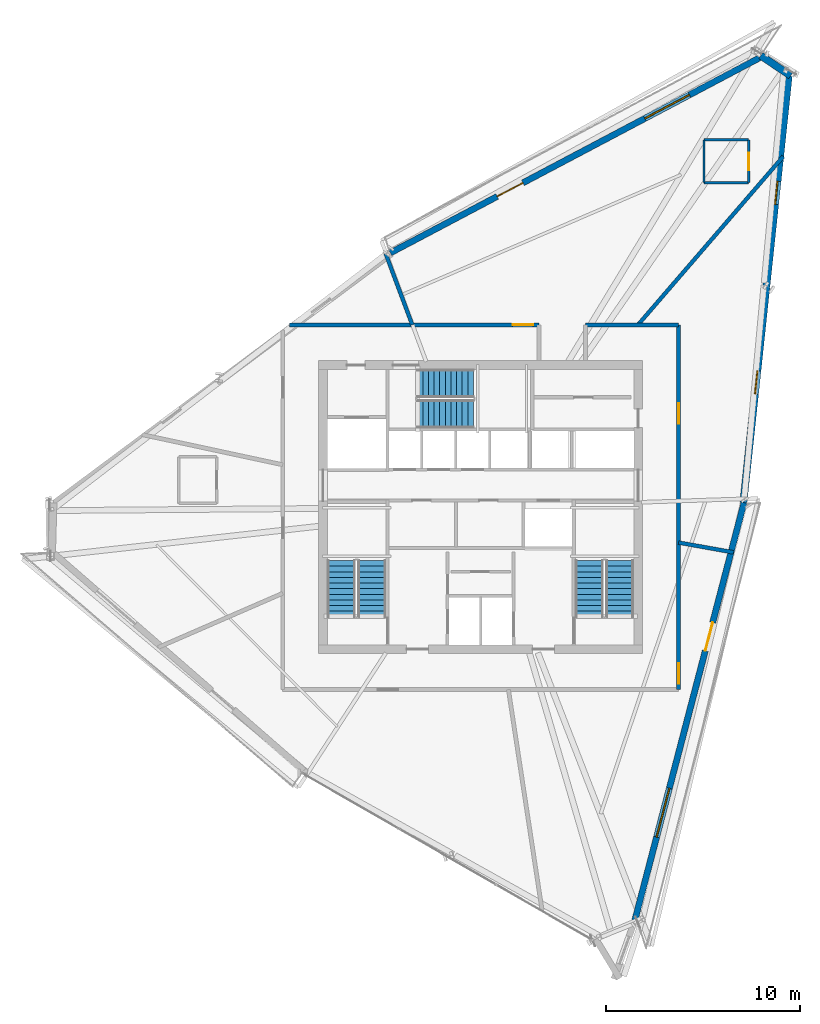
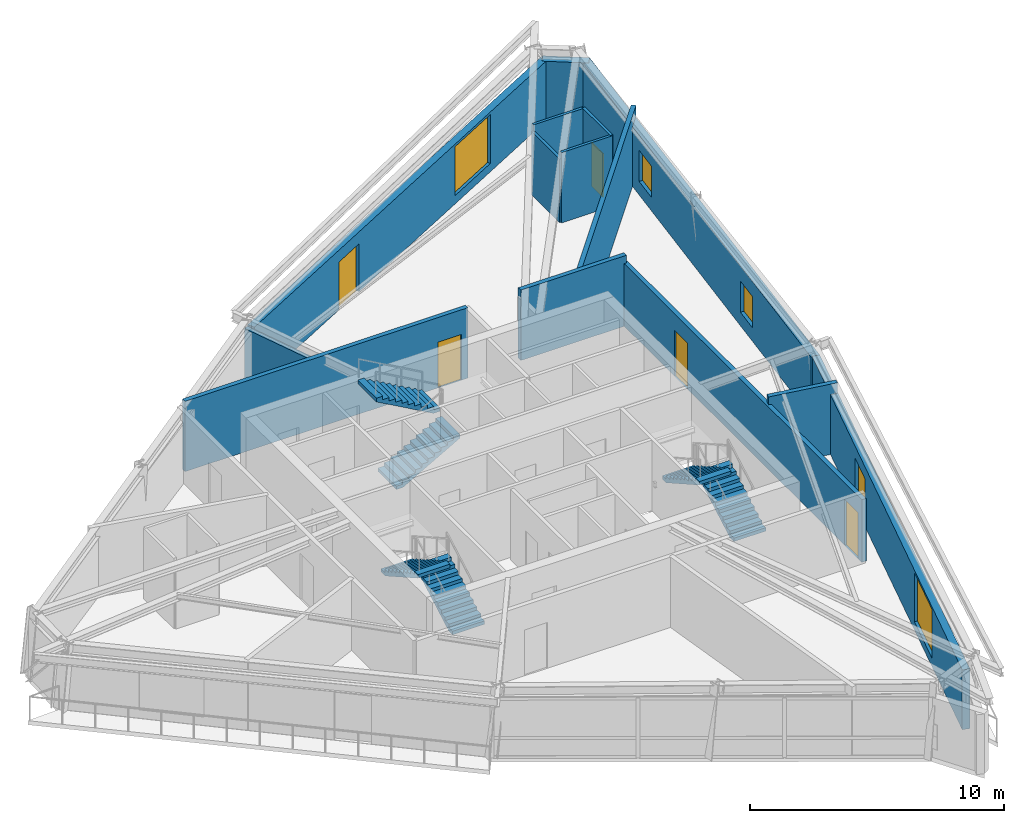
# One storey, part 10 of 13: 14 walls, 6 doors, 6 stair flights, 4 windows, 10 openings, 3 elements without a shape of their own.
"""IFC4 building model written with IfcOpenShell, lengths in metres."""

import ifcopenshell
import ifcopenshell.guid

model = None  # the IFC model being written
_history = None  # IfcOwnerHistory: only IFC2X3 demands one
_inside = {}  # id of a spatial element -> (the spatial element, [elements in it])
_under = {}  # id of a project, library or spatial element -> (it, [spatial elements below it])
_declared = {}  # id of a project -> (the project, [libraries it declares])
_typed = {}  # id of a type object -> (the type object, [elements of that type])
_made_of = {}  # id of a material, layer set ... -> (it, [elements and type objects made of it])


def new_model(schema):
    """Start an empty IFC model of exactly this schema.

    Asked for "IFC4X3", IfcOpenShell would pick the latest addendum, in which some entities
    have other attributes; the version numbers below select the first issue.
    IFC2X3 requires an IfcOwnerHistory on every rooted entity: one is made here for all.
    """
    global model, _history
    if schema == "IFC4X3":
        model = ifcopenshell.file(schema_version=(4, 3, 0, 0))
    else:
        model = ifcopenshell.file(schema=schema)
    _inside.clear()
    _under.clear()
    _declared.clear()
    _typed.clear()
    _made_of.clear()
    _history = None
    if model.schema == "IFC2X3":
        org = make("IfcOrganization", Name="unknown")
        user = make(
            "IfcPersonAndOrganization",
            ThePerson=make("IfcPerson", FamilyName="unknown"),
            TheOrganization=org,
        )
        app = make(
            "IfcApplication",
            ApplicationDeveloper=org,
            Version="unknown",
            ApplicationFullName="unknown",
            ApplicationIdentifier="unknown",
        )
        _history = make(
            "IfcOwnerHistory",
            OwningUser=user,
            OwningApplication=app,
            ChangeAction="ADDED",
            CreationDate=0,
        )
    return model


def make(cls, **values):
    """One entity of the class cls with the attributes given. An attribute that is None is left unset."""
    return model.create_entity(
        cls, **{name: value for name, value in values.items() if value is not None}
    )


def rooted(cls, **values):
    """An entity with a GlobalId (a new one), such as an element, a storey or a relation."""
    return make(cls, GlobalId=ifcopenshell.guid.new(), OwnerHistory=_history, **values)


def si_unit(unit_type, name, prefix=None):
    """IfcSIUnit, for example si_unit("LENGTHUNIT", "METRE", prefix="MILLI")."""
    return make("IfcSIUnit", UnitType=unit_type, Prefix=prefix, Name=name)


def assignment(units):
    """IfcUnitAssignment: the units of a project."""
    return None if units is None else make("IfcUnitAssignment", Units=units)


def point(xyz):
    """IfcCartesianPoint."""
    return None if xyz is None else make("IfcCartesianPoint", Coordinates=xyz)


def direction(xyz):
    """IfcDirection."""
    return None if xyz is None else make("IfcDirection", DirectionRatios=xyz)


def frame(location, z_axis=None, x_axis=None):
    """IfcAxis2Placement3D, a coordinate frame: its origin and axes. An axis left out is left unset."""
    return make(
        "IfcAxis2Placement3D",
        Location=point(location),
        Axis=direction(z_axis),
        RefDirection=direction(x_axis),
    )


def frame_2d(location, x_axis=None):
    """IfcAxis2Placement2D, a coordinate frame in the plane: its origin and x axis."""
    return make(
        "IfcAxis2Placement2D", Location=point(location), RefDirection=direction(x_axis)
    )


def origin():
    """The frame at (0, 0, 0) with its axes left unset."""
    return frame((0.0, 0.0, 0.0))


def place(relative_to, where):
    """IfcLocalPlacement: puts the frame where relative to a parent placement (None: the world)."""
    return make(
        "IfcLocalPlacement", PlacementRelTo=relative_to, RelativePlacement=where
    )


def context(
    kind, dimensions, precision=None, world=None, true_north=None, identifier=None
):
    """IfcGeometricRepresentationContext, for example the 3D "Model" context."""
    return make(
        "IfcGeometricRepresentationContext",
        ContextIdentifier=identifier,
        ContextType=kind,
        CoordinateSpaceDimension=dimensions,
        Precision=precision,
        WorldCoordinateSystem=world,
        TrueNorth=true_north,
    )


def subcontext(parent, identifier, kind, view, scale=None):
    """IfcGeometricRepresentationSubContext, for example "Body" below "Model"."""
    return make(
        "IfcGeometricRepresentationSubContext",
        ContextIdentifier=identifier,
        ContextType=kind,
        ParentContext=parent,
        TargetScale=scale,
        TargetView=view,
    )


def project(units=None, contexts=None):
    """IfcProject with its units and contexts."""
    return rooted(
        "IfcProject",
        Name="project",
        RepresentationContexts=contexts,
        UnitsInContext=assignment(units),
    )


def spatial(cls, under=None, at=None, **own):
    """A site, building, storey or space (cls), placed at a placement, below another one or the project."""
    s = rooted(cls, ObjectPlacement=at, **own)
    if under is not None:
        _under.setdefault(under.id(), (under, []))[1].append(s)
    return s


def polyline(points):
    """IfcPolyline through the points."""
    return make("IfcPolyline", Points=[point(p) for p in points])


def profile(cls, at=None, kind="AREA", **sizes):
    """A parametric profile (cls). Its sizes go by their IFC names, for example OverallWidth=200.0."""
    return make(cls, ProfileType=kind, Position=at, **sizes)


def rectangle(**sizes):
    """IfcRectangleProfileDef."""
    return profile("IfcRectangleProfileDef", **sizes)


def outline(outer, holes=None, kind="AREA"):
    """IfcArbitraryClosedProfileDef: a profile drawn as a closed curve; with holes, ...WithVoids."""
    if holes is None:
        return make("IfcArbitraryClosedProfileDef", ProfileType=kind, OuterCurve=outer)
    return make(
        "IfcArbitraryProfileDefWithVoids",
        ProfileType=kind,
        OuterCurve=outer,
        InnerCurves=holes,
    )


def extrude(swept, where, along, depth):
    """IfcExtrudedAreaSolid: the profile swept, set in the frame where, extruded along a direction by depth."""
    return make(
        "IfcExtrudedAreaSolid",
        SweptArea=swept,
        Position=where,
        ExtrudedDirection=direction(along),
        Depth=depth,
    )


def shape(context_of_items, identifier, shape_type, items):
    """IfcShapeRepresentation: the items that make up one representation, for example the "Body"."""
    return make(
        "IfcShapeRepresentation",
        ContextOfItems=context_of_items,
        RepresentationIdentifier=identifier,
        RepresentationType=shape_type,
        Items=items,
    )


def source(mapping_origin, context_of_items, identifier, shape_type, items):
    """IfcRepresentationMap: a shape defined once, which mapped items show again and again."""
    return make(
        "IfcRepresentationMap",
        MappingOrigin=mapping_origin,
        MappedRepresentation=shape(context_of_items, identifier, shape_type, items),
    )


def transform(
    local_origin,
    x_axis=None,
    y_axis=None,
    z_axis=None,
    scale=None,
    scale2=None,
    scale3=None,
    uniform=True,
):
    """IfcCartesianTransformationOperator3D, or its non-uniform kind. x_axis, y_axis, z_axis: its Axis1, 2, 3."""
    if uniform:
        return make(
            "IfcCartesianTransformationOperator3D",
            Axis1=direction(x_axis),
            Axis2=direction(y_axis),
            LocalOrigin=point(local_origin),
            Scale=scale,
            Axis3=direction(z_axis),
        )
    return make(
        "IfcCartesianTransformationOperator3DnonUniform",
        Axis1=direction(x_axis),
        Axis2=direction(y_axis),
        LocalOrigin=point(local_origin),
        Scale=scale,
        Axis3=direction(z_axis),
        Scale2=scale2,
        Scale3=scale3,
    )


def mapped(mapping_source, mapping_target):
    """IfcMappedItem: shows the shape of a source again, moved by a transform."""
    return make(
        "IfcMappedItem", MappingSource=mapping_source, MappingTarget=mapping_target
    )


def material(Name=None, Category=None):
    """IfcMaterial."""
    return make("IfcMaterial", Name=Name, Category=Category)


def layer(
    of_material, thickness, ventilated=None, Name=None, Category=None, Priority=None
):
    """IfcMaterialLayer: one layer of a wall or slab, of a material (None: an air gap)."""
    return make(
        "IfcMaterialLayer",
        Material=of_material,
        LayerThickness=thickness,
        IsVentilated=ventilated,
        Name=Name,
        Category=Category,
        Priority=Priority,
    )


def layer_set(layers, Name=None):
    """IfcMaterialLayerSet."""
    return make("IfcMaterialLayerSet", MaterialLayers=layers, LayerSetName=Name)


def made_of(thing, what):
    """Note that an element or type object is made of a material, layer set ...; save() writes the relation."""
    if what is not None:
        _made_of.setdefault(what.id(), (what, []))[1].append(thing)
    return thing


def type_object(cls, material=None, **own):
    """A type object (cls), such as IfcWallType, which elements share."""
    return made_of(rooted(cls, **own), material)


def type_shapes(of_type, sources):
    """Give a type object the sources (RepresentationMaps) that its elements show as mapped items."""
    of_type.RepresentationMaps = sources


def element(
    cls,
    number,
    at=None,
    inside=None,
    cuts=None,
    type_object=None,
    material=None,
    context=None,
    identifier="Body",
    shape_type=None,
    held_by="IfcProductDefinitionShape",
    body=None,
    shapes=None,
    **own,
):
    """One element of the class cls, such as IfcWall. Its Tag is "e" and its number.

    at: its placement. inside: the storey or other place that contains it. cuts: it is an
    opening in that element (IfcRelVoidsElement). A single representation is given by context,
    identifier, shape_type and body (its items); several are given by shapes. held_by: the class
    of the entity that holds the representations. save() writes the other relations.
    """
    e = rooted(cls, Tag="e%d" % number, ObjectPlacement=at, **own)
    if body is not None:
        shapes = [shape(context, identifier, shape_type, body)]
    if shapes is not None:
        e.Representation = make(held_by, Representations=shapes)
    if inside is not None:
        _inside.setdefault(inside.id(), (inside, []))[1].append(e)
    if cuts is not None:
        rooted(
            "IfcRelVoidsElement", RelatingBuildingElement=cuts, RelatedOpeningElement=e
        )
    if type_object is not None:
        _typed.setdefault(type_object.id(), (type_object, []))[1].append(e)
    return made_of(e, material)


def fill(opening, filler):
    """IfcRelFillsElement: the door or window that sits in an opening."""
    return rooted(
        "IfcRelFillsElement",
        RelatingOpeningElement=opening,
        RelatedBuildingElement=filler,
    )


def aggregate(whole, parts):
    """IfcRelAggregates: a whole, such as a stair, and the parts it consists of."""
    return rooted("IfcRelAggregates", RelatingObject=whole, RelatedObjects=parts)


def save(model, path):
    """Write the relations noted so far, then the file.

    IfcRelAggregates (storeys below a building ...), IfcRelContainedInSpatialStructure (elements
    in a storey), IfcRelDefinesByType, IfcRelAssociatesMaterial and IfcRelDeclares: one each for
    every whole, place, type object, material and project.
    """
    for whole, parts in _under.values():
        aggregate(whole, parts)
    for where, things in _inside.values():
        rooted(
            "IfcRelContainedInSpatialStructure",
            RelatedElements=things,
            RelatingStructure=where,
        )
    for kind, things in _typed.values():
        rooted("IfcRelDefinesByType", RelatedObjects=things, RelatingType=kind)
    for what, things in _made_of.values():
        rooted("IfcRelAssociatesMaterial", RelatedObjects=things, RelatingMaterial=what)
    for by, libraries in _declared.values():
        rooted("IfcRelDeclares", RelatingContext=by, RelatedDefinitions=libraries)
    model.write(path)


model = new_model("IFC4")

# Units and contexts
model_context = context("Model", 3, precision=1e-05, world=origin(), true_north=direction((0.0, 1.0)))
body_context = subcontext(model_context, "Body", "Model", "MODEL_VIEW")
ifc_project = project(units=[si_unit("LENGTHUNIT", "METRE"), si_unit("AREAUNIT", "SQUARE_METRE"), si_unit("VOLUMEUNIT", "CUBIC_METRE"), si_unit("PLANEANGLEUNIT", "RADIAN"), si_unit("MASSUNIT", "GRAM", prefix="KILO")], contexts=[model_context])

# Site, building, storey
site_placement = place(None, origin())
site = spatial("IfcSite", under=ifc_project, at=site_placement, CompositionType="ELEMENT")
building_placement = place(site_placement, origin())
building = spatial("IfcBuilding", under=site, at=building_placement, Name="Olszyna Solenne Hotel", CompositionType="ELEMENT")
storey_placement = place(building_placement, frame((0.0, 0.0, 263.300048828125)))
storey = spatial("IfcBuildingStorey", under=building, at=storey_placement, Name="L70", CompositionType="ELEMENT", Elevation=263.300048828125)

# Wall, openings, door, window
ifc_material_1 = material(Name="Precast concrete C45/55", Category="concrete")
ifc_layer_1 = layer(ifc_material_1, 0.320068359375, Name="Precast concrete C45/55")
ifc_layer_set_1 = layer_set([ifc_layer_1], Name="Precast concrete C45/55")
wall_type_1 = type_object("IfcWallType", Name="WL-EX320", PredefinedType="SOLIDWALL", material=ifc_layer_set_1)
wall_1_placement = place(storey_placement, frame((51.576904296875, 26.8388671875, 0.0), z_axis=(0.0, 0.0, 1.0), x_axis=(-0.252928525252, -0.967484966867, 0.0)))
wall_1 = element("IfcWall", 1, at=wall_1_placement, inside=storey, type_object=wall_type_1, Name="Exterior terracotta-precast frame wall WL-EX320 EW-L70-01", PredefinedType="SOLIDWALL", context=body_context, shape_type="SweptSolid", body=[
    extrude(rectangle(XDim=22.322509765625, YDim=0.320068359375, at=frame_2d((11.1611328125, 0.0))), origin(), (0.0, 0.0, 1.0), 2.8720703125),
])
opening_1_placement = place(wall_1_placement, frame((6.39306640625, 0.0, 0.0)))
opening_1 = element("IfcOpeningElement", 2, at=opening_1_placement, cuts=wall_1, Name="Opening LDG-L70-3", PredefinedType="OPENING", context=body_context, shape_type="SweptSolid", body=[
    extrude(rectangle(XDim=1.5, YDim=2.300048828125, at=frame_2d((0.75, 1.14990234375))), frame((0.0, 0.169921875, 0.0), z_axis=(0.0, -1.0, 0.0), x_axis=(1.0, 0.0, 0.0)), (0.0, 0.0, 1.0), 0.340087890625),
])
opening_2_placement = place(wall_1_placement, frame((15.218994140625, 0.0, 0.402099609375)))
opening_2 = element("IfcOpeningElement", 3, at=opening_2_placement, cuts=wall_1, Name="Opening WN-L70-464", PredefinedType="OPENING", context=body_context, shape_type="SweptSolid", body=[
    extrude(rectangle(XDim=2.60009765625, YDim=2.35009765625, at=frame_2d((1.300048828125, 1.175048828125))), frame((0.0, 0.169921875, 0.0), z_axis=(0.0, -1.0, 0.0), x_axis=(1.0, 0.0, 0.0)), (0.0, 0.0, 1.0), 0.340087890625),
])
ifc_material_2 = material(Name="Anodised bronze aluminium", Category="aluminium")
door_type_1 = type_object("IfcDoorType", Name="DR-LG2", OperationType="DOUBLE_DOOR_SINGLE_SWING", PredefinedType="DOOR", material=ifc_material_2)
shared_shape_1 = source(origin(), body_context, "Body", "SweptSolid", [
    extrude(rectangle(XDim=1.5, YDim=2.300048828125, at=frame_2d((0.75, 1.14990234375))), frame((0.0, 0.02490234375, 0.0), z_axis=(0.0, -1.0, 0.0), x_axis=(1.0, 0.0, 0.0)), (0.0, 0.0, 1.0), 0.050048828125),
])
type_shapes(door_type_1, [shared_shape_1])
door_1_placement = place(opening_1_placement, origin())
door_1 = element("IfcDoor", 4, at=door_1_placement, inside=storey, type_object=door_type_1, Name="Exterior loggia balcony door DR-LG2 LDG-L70-3", OperationType="DOUBLE_DOOR_SINGLE_SWING", OverallHeight=2.300048828125, OverallWidth=1.5, PredefinedType="DOOR", context=body_context, shape_type="MappedRepresentation", body=[
    mapped(shared_shape_1, transform((0.0, 0.0, 0.0), x_axis=(1.0, 0.0, 0.0), y_axis=(0.0, 1.0, 0.0), z_axis=(0.0, 0.0, 1.0), scale=1.0)),
])
fill(opening_1, door_1)
ifc_material_3 = material(Name="Low-E triple glazing", Category="glass")
window_type_1 = type_object("IfcWindowType", Name="WN-ST1", PartitioningType="SINGLE_PANEL", PredefinedType="WINDOW", material=ifc_material_3)
shared_shape_2 = source(origin(), body_context, "Body", "SweptSolid", [
    extrude(rectangle(XDim=2.60009765625, YDim=2.35009765625, at=frame_2d((1.300048828125, 1.175048828125))), frame((0.0, 0.030029296875, 0.0), z_axis=(0.0, -1.0, 0.0), x_axis=(1.0, 0.0, 0.0)), (0.0, 0.0, 1.0), 0.06005859375),
])
type_shapes(window_type_1, [shared_shape_2])
window_1_placement = place(opening_2_placement, origin())
window_1 = element("IfcWindow", 5, at=window_1_placement, inside=storey, type_object=window_type_1, Name="Loggia room window WN-ST1 WN-L70-464", OverallHeight=2.35009765625, OverallWidth=2.60009765625, PartitioningType="SINGLE_PANEL", PredefinedType="WINDOW", context=body_context, shape_type="MappedRepresentation", body=[
    mapped(shared_shape_2, transform((0.0, 0.0, 0.0), x_axis=(1.0, 0.0, 0.0), y_axis=(0.0, 1.0, 0.0), z_axis=(0.0, 0.0, 1.0), scale=1.0)),
])
fill(opening_2, window_1)

wall_2_placement = place(storey_placement, frame((33.345703125, 39.707763671875, 0.0), z_axis=(0.0, 0.0, 1.0), x_axis=(0.884171130731, 0.467163153066, 0.0)))
wall_2 = element("IfcWall", 6, at=wall_2_placement, inside=storey, type_object=wall_type_1, Name="Exterior terracotta-precast frame wall WL-EX320 EW-L70-08", PredefinedType="SOLIDWALL", context=body_context, shape_type="SweptSolid", body=[
    extrude(rectangle(XDim=21.802490234375, YDim=0.320068359375, at=frame_2d((10.9013671875, 0.0))), origin(), (0.0, 0.0, 1.0), 2.8720703125),
])
opening_3_placement = place(wall_2_placement, frame((6.22705078125, 0.0, 0.0)))
opening_3 = element("IfcOpeningElement", 7, at=opening_3_placement, cuts=wall_2, Name="Opening LDG-L70-1", PredefinedType="OPENING", context=body_context, shape_type="SweptSolid", body=[
    extrude(rectangle(XDim=1.5, YDim=2.300048828125, at=frame_2d((0.75, 1.14990234375))), frame((0.0, 0.169921875, 0.0), z_axis=(0.0, -1.0, 0.0), x_axis=(1.0, 0.0, 0.0)), (0.0, 0.0, 1.0), 0.340087890625),
])
opening_4_placement = place(wall_2_placement, frame((14.833984375, 0.0, 0.402099609375)))
opening_4 = element("IfcOpeningElement", 8, at=opening_4_placement, cuts=wall_2, Name="Opening WN-L70-469", PredefinedType="OPENING", context=body_context, shape_type="SweptSolid", body=[
    extrude(rectangle(XDim=2.60009765625, YDim=2.35009765625, at=frame_2d((1.300048828125, 1.175048828125))), frame((0.0, 0.169921875, 0.0), z_axis=(0.0, -1.0, 0.0), x_axis=(1.0, 0.0, 0.0)), (0.0, 0.0, 1.0), 0.340087890625),
])
door_2_placement = place(opening_3_placement, origin())
door_2 = element("IfcDoor", 9, at=door_2_placement, inside=storey, type_object=door_type_1, Name="Exterior loggia balcony door DR-LG2 LDG-L70-1", OperationType="DOUBLE_DOOR_SINGLE_SWING", OverallHeight=2.300048828125, OverallWidth=1.5, PredefinedType="DOOR", context=body_context, shape_type="MappedRepresentation", body=[
    mapped(shared_shape_1, transform((0.0, 0.0, 0.0), x_axis=(1.0, 0.0, 0.0), y_axis=(0.0, 1.0, 0.0), z_axis=(0.0, 0.0, 1.0), scale=1.0)),
])
fill(opening_3, door_2)
window_2_placement = place(opening_4_placement, origin())
window_2 = element("IfcWindow", 10, at=window_2_placement, inside=storey, type_object=window_type_1, Name="Loggia room window WN-ST1 WN-L70-469", OverallHeight=2.35009765625, OverallWidth=2.60009765625, PartitioningType="SINGLE_PANEL", PredefinedType="WINDOW", context=body_context, shape_type="MappedRepresentation", body=[
    mapped(shared_shape_2, transform((0.0, 0.0, 0.0), x_axis=(1.0, 0.0, 0.0), y_axis=(0.0, 1.0, 0.0), z_axis=(0.0, 0.0, 1.0), scale=1.0)),
])
fill(opening_4, window_2)

# Wall
ifc_material_4 = material(Name="Terracotta cladding on precast concrete C45/55", Category="masonry")
ifc_layer_2 = layer(ifc_material_4, 0.3798828125, Name="Terracotta cladding on precast concrete C45/55")
ifc_layer_set_2 = layer_set([ifc_layer_2], Name="Terracotta cladding on precast concrete C45/55")
wall_type_2 = type_object("IfcWallType", Name="WL-EX380", PredefinedType="SOLIDWALL", material=ifc_layer_set_2)
wall_3_placement = place(storey_placement, frame((52.44189453125, 49.877197265625, 0.0), z_axis=(0.0, 0.0, 1.0), x_axis=(0.828508052688, -0.559977148312, 0.0)))
element("IfcWall", 11, at=wall_3_placement, inside=storey, type_object=wall_type_2, Name="Exterior terracotta-precast frame wall WL-EX380 EW-L70-09", PredefinedType="SOLIDWALL", context=body_context, shape_type="SweptSolid", body=[
    extrude(rectangle(XDim=1.853759765625, YDim=0.3798828125, at=frame_2d((0.9267578125, 0.0))), origin(), (0.0, 0.0, 1.0), 2.8720703125),
])

# Wall, openings, windows
wall_4_placement = place(storey_placement, frame((53.8955078125, 49.0166015625, 0.0), z_axis=(0.0, 0.0, 1.0), x_axis=(-0.105399254058, -0.994429986095, 0.0)))
wall_4 = element("IfcWall", 12, at=wall_4_placement, inside=storey, type_object=wall_type_2, Name="Exterior terracotta-precast frame wall WL-EX380 EW-L70-10", PredefinedType="SOLIDWALL", context=body_context, shape_type="SweptSolid", body=[
    extrude(rectangle(XDim=22.322509765625, YDim=0.3798828125, at=frame_2d((11.1611328125, 0.0))), origin(), (0.0, 0.0, 1.0), 2.8720703125),
])
opening_5_placement = place(wall_4_placement, frame((5.64990234375, 0.0, 0.64990234375)))
opening_5 = element("IfcOpeningElement", 13, at=opening_5_placement, cuts=wall_4, Name="Opening WN-L70-470", PredefinedType="OPENING", context=body_context, shape_type="SweptSolid", body=[
    extrude(rectangle(XDim=1.199951171875, YDim=1.5, at=frame_2d((0.60009765625, 0.75))), frame((0.0, 0.199951171875, 0.0), z_axis=(0.0, -1.0, 0.0), x_axis=(1.0, 0.0, 0.0)), (0.0, 0.0, 1.0), 0.39990234375),
])
opening_6_placement = place(wall_4_placement, frame((15.471923828125, 0.0, 0.64990234375)))
opening_6 = element("IfcOpeningElement", 14, at=opening_6_placement, cuts=wall_4, Name="Opening WN-L70-471", PredefinedType="OPENING", context=body_context, shape_type="SweptSolid", body=[
    extrude(rectangle(XDim=1.199951171875, YDim=1.5, at=frame_2d((0.60009765625, 0.75))), frame((0.0, 0.199951171875, 0.0), z_axis=(0.0, -1.0, 0.0), x_axis=(1.0, 0.0, 0.0)), (0.0, 0.0, 1.0), 0.39990234375),
])
window_type_2 = type_object("IfcWindowType", Name="WN-B1", PartitioningType="SINGLE_PANEL", PredefinedType="WINDOW", material=ifc_material_3)
shared_shape_3 = source(origin(), body_context, "Body", "SweptSolid", [
    extrude(rectangle(XDim=1.199951171875, YDim=1.5, at=frame_2d((0.60009765625, 0.75))), frame((0.0, 0.030029296875, 0.0), z_axis=(0.0, -1.0, 0.0), x_axis=(1.0, 0.0, 0.0)), (0.0, 0.0, 1.0), 0.06005859375),
])
type_shapes(window_type_2, [shared_shape_3])
window_3_placement = place(opening_5_placement, origin())
window_3 = element("IfcWindow", 15, at=window_3_placement, inside=storey, type_object=window_type_2, Name="Exterior facade window WN-B1 WN-L70-470", OverallHeight=1.5, OverallWidth=1.199951171875, PartitioningType="SINGLE_PANEL", PredefinedType="WINDOW", context=body_context, shape_type="MappedRepresentation", body=[
    mapped(shared_shape_3, transform((0.0, 0.0, 0.0), x_axis=(1.0, 0.0, 0.0), y_axis=(0.0, 1.0, 0.0), z_axis=(0.0, 0.0, 1.0), scale=1.0)),
])
fill(opening_5, window_3)
window_4_placement = place(opening_6_placement, origin())
window_4 = element("IfcWindow", 16, at=window_4_placement, inside=storey, type_object=window_type_2, Name="Exterior facade window WN-B1 WN-L70-471", OverallHeight=1.5, OverallWidth=1.199951171875, PartitioningType="SINGLE_PANEL", PredefinedType="WINDOW", context=body_context, shape_type="MappedRepresentation", body=[
    mapped(shared_shape_3, transform((0.0, 0.0, 0.0), x_axis=(1.0, 0.0, 0.0), y_axis=(0.0, 1.0, 0.0), z_axis=(0.0, 0.0, 1.0), scale=1.0)),
])
fill(opening_6, window_4)

# Wall, opening, door
ifc_material_5 = material(Name="Acoustic gypsum partition", Category="gypsum")
ifc_layer_3 = layer(ifc_material_5, 0.125, Name="Acoustic gypsum partition")
ifc_layer_set_3 = layer_set([ifc_layer_3], Name="Acoustic gypsum partition")
wall_type_3 = type_object("IfcWallType", Name="WL-PT125", PredefinedType="PARTITIONING", material=ifc_layer_set_3)
wall_5_placement = place(storey_placement, frame((51.81201171875, 43.3291015625, 0.0), z_axis=(0.0, 0.0, 1.0), x_axis=(0.0, 1.0, 0.0)))
wall_5 = element("IfcWall", 17, at=wall_5_placement, inside=storey, type_object=wall_type_3, Name="Interior acoustic partition WL-PT125 PW-L70-3877", PredefinedType="PARTITIONING", context=body_context, shape_type="SweptSolid", body=[
    extrude(rectangle(XDim=2.199951171875, YDim=0.125, at=frame_2d((1.10009765625, 0.0))), origin(), (0.0, 0.0, 1.0), 3.3798828125),
])
opening_7_placement = place(wall_5_placement, frame((0.64990234375, 0.0, 0.0)))
opening_7 = element("IfcOpeningElement", 18, at=opening_7_placement, cuts=wall_5, Name="Opening DR-L70-0940", PredefinedType="OPENING", context=body_context, shape_type="SweptSolid", body=[
    extrude(rectangle(XDim=0.89990234375, YDim=2.10009765625, at=frame_2d((0.449951171875, 1.050048828125))), frame((0.0, 0.072509765625, 0.0), z_axis=(0.0, -1.0, 0.0), x_axis=(1.0, 0.0, 0.0)), (0.0, 0.0, 1.0), 0.14501953125),
])
ifc_material_6 = material(Name="Timber hardwood", Category="wood")
door_type_2 = type_object("IfcDoorType", Name="DR-WC1", OperationType="NOTDEFINED", PredefinedType="DOOR", material=ifc_material_6)
shared_shape_4 = source(origin(), body_context, "Body", "SweptSolid", [
    extrude(rectangle(XDim=0.89990234375, YDim=2.10009765625, at=frame_2d((0.449951171875, 1.050048828125))), frame((0.0, 0.02490234375, 0.0), z_axis=(0.0, -1.0, 0.0), x_axis=(1.0, 0.0, 0.0)), (0.0, 0.0, 1.0), 0.050048828125),
])
type_shapes(door_type_2, [shared_shape_4])
door_3_placement = place(opening_7_placement, origin())
door_3 = element("IfcDoor", 19, at=door_3_placement, inside=storey, type_object=door_type_2, Name="En-Suite Bathroom Door DR-L70-0940", OperationType="SINGLE_SWING_LEFT", OverallHeight=2.10009765625, OverallWidth=0.89990234375, PredefinedType="DOOR", context=body_context, shape_type="MappedRepresentation", body=[
    mapped(shared_shape_4, transform((0.0, 0.0, 0.0), x_axis=(1.0, 0.0, 0.0), y_axis=(0.0, 1.0, 0.0), z_axis=(0.0, 0.0, 1.0), scale=1.0)),
])
fill(opening_7, door_3)

# Walls
wall_6_placement = place(storey_placement, frame((51.81201171875, 45.529052734375, 0.0), z_axis=(0.0, 0.0, 1.0), x_axis=(-1.0, 0.0, 0.0)))
element("IfcWall", 20, at=wall_6_placement, inside=storey, type_object=wall_type_3, Name="Interior acoustic partition WL-PT125 PW-L70-3878", PredefinedType="PARTITIONING", context=body_context, shape_type="SweptSolid", body=[
    extrude(rectangle(XDim=2.300048828125, YDim=0.125, at=frame_2d((1.14990234375, 0.0))), origin(), (0.0, 0.0, 1.0), 3.3798828125),
])
wall_7_placement = place(storey_placement, frame((49.511962890625, 45.529052734375, 0.0), z_axis=(0.0, 0.0, 1.0), x_axis=(0.0, -1.0, 0.0)))
element("IfcWall", 21, at=wall_7_placement, inside=storey, type_object=wall_type_3, Name="Interior acoustic partition WL-PT125 PW-L70-3879", PredefinedType="PARTITIONING", context=body_context, shape_type="SweptSolid", body=[
    extrude(rectangle(XDim=2.199951171875, YDim=0.125, at=frame_2d((1.10009765625, 0.0))), origin(), (0.0, 0.0, 1.0), 3.054931640625),
])
wall_8_placement = place(storey_placement, frame((49.511962890625, 43.3291015625, 0.0), z_axis=(0.0, 0.0, 1.0), x_axis=(1.0, 0.0, 0.0)))
element("IfcWall", 22, at=wall_8_placement, inside=storey, type_object=wall_type_3, Name="Interior acoustic partition WL-PT125 PW-L70-3880", PredefinedType="PARTITIONING", context=body_context, shape_type="SweptSolid", body=[
    extrude(rectangle(XDim=2.300048828125, YDim=0.125, at=frame_2d((1.14990234375, 0.0))), origin(), (0.0, 0.0, 1.0), 3.3798828125),
])
ifc_layer_4 = layer(ifc_material_5, 0.199951171875, Name="Acoustic gypsum partition")
ifc_layer_set_4 = layer_set([ifc_layer_4], Name="Acoustic gypsum partition")
wall_type_4 = type_object("IfcWallType", Name="WL-PT200", PredefinedType="PARTITIONING", material=ifc_layer_set_4)
wall_9_placement = place(storey_placement, frame((48.199951171875, 24.7783203125, 0.0), z_axis=(0.0, 0.0, 1.0), x_axis=(0.984415019737, -0.175860936298, 0.0)))
element("IfcWall", 23, at=wall_9_placement, inside=storey, type_object=wall_type_4, Name="Interior acoustic partition WL-PT200 PW-L70-3873", PredefinedType="PARTITIONING", context=body_context, shape_type="SweptSolid", body=[
    extrude(rectangle(XDim=2.884765625, YDim=0.199951171875, at=frame_2d((1.4423828125, 0.0))), origin(), (0.0, 0.0, 1.0), 3.3798828125),
])
wall_10_placement = place(storey_placement, frame((46.10986328125, 36.0, 0.0), z_axis=(0.0, 0.0, 1.0), x_axis=(0.653228227984, 0.757161067518, 0.0)))
element("IfcWall", 24, at=wall_10_placement, inside=storey, type_object=wall_type_4, Name="Interior acoustic partition WL-PT200 PW-L70-3874", PredefinedType="PARTITIONING", context=body_context, shape_type="SweptSolid", body=[
    extrude(rectangle(XDim=11.4609375, YDim=0.199951171875, at=frame_2d((5.73046875, 0.0))), origin(), (0.0, 0.0, 1.0), 3.3798828125),
])
wall_11_placement = place(storey_placement, frame((34.479248046875, 36.0, 0.0), z_axis=(0.0, 0.0, 1.0), x_axis=(-0.350701737224, 0.936487208406, 0.0)))
element("IfcWall", 25, at=wall_11_placement, inside=storey, type_object=wall_type_4, Name="Interior acoustic partition WL-PT200 PW-L70-3875", PredefinedType="PARTITIONING", context=body_context, shape_type="SweptSolid", body=[
    extrude(rectangle(XDim=3.933837890625, YDim=0.199951171875, at=frame_2d((1.966796875, 0.0))), origin(), (0.0, 0.0, 1.0), 2.9150390625),
])

# Wall, opening, door
wall_12_placement = place(storey_placement, frame((28.149169921875, 36.0, 0.0), z_axis=(0.0, 0.0, 1.0), x_axis=(1.0, 0.0, 0.0)))
wall_12 = element("IfcWall", 26, at=wall_12_placement, inside=storey, type_object=wall_type_4, Name="Interior acoustic partition WL-PT200 PW-L70-3887", PredefinedType="PARTITIONING", context=body_context, shape_type="SweptSolid", body=[
    extrude(rectangle(XDim=12.850830078125, YDim=0.199951171875, at=frame_2d((6.42529296875, 0.0))), origin(), (0.0, 0.0, 1.0), 3.3798828125),
])
opening_8_placement = place(wall_12_placement, frame((11.5009765625, 0.0, 0.0)))
opening_8 = element("IfcOpeningElement", 27, at=opening_8_placement, cuts=wall_12, Name="Opening DR-L70-0945", PredefinedType="OPENING", context=body_context, shape_type="SweptSolid", body=[
    extrude(rectangle(XDim=1.050048828125, YDim=2.199951171875, at=frame_2d((0.52490234375, 1.10009765625))), frame((0.0, 0.10986328125, 0.0), z_axis=(0.0, -1.0, 0.0), x_axis=(1.0, 0.0, 0.0)), (0.0, 0.0, 1.0), 0.219970703125),
])
door_type_3 = type_object("IfcDoorType", Name="DR-RM2", OperationType="NOTDEFINED", PredefinedType="DOOR", material=ifc_material_6)
shared_shape_5 = source(origin(), body_context, "Body", "SweptSolid", [
    extrude(rectangle(XDim=1.050048828125, YDim=2.199951171875, at=frame_2d((0.52490234375, 1.10009765625))), frame((0.0, 0.02490234375, 0.0), z_axis=(0.0, -1.0, 0.0), x_axis=(1.0, 0.0, 0.0)), (0.0, 0.0, 1.0), 0.050048828125),
])
type_shapes(door_type_3, [shared_shape_5])
door_4_placement = place(opening_8_placement, origin())
door_4 = element("IfcDoor", 28, at=door_4_placement, inside=storey, type_object=door_type_3, Name="Corner Panorama Suite Entrance Door DR-L70-0945", OperationType="SINGLE_SWING_RIGHT", OverallHeight=2.199951171875, OverallWidth=1.050048828125, PredefinedType="DOOR", context=body_context, shape_type="MappedRepresentation", body=[
    mapped(shared_shape_5, transform((0.0, 0.0, 0.0), x_axis=(1.0, 0.0, 0.0), y_axis=(0.0, 1.0, 0.0), z_axis=(0.0, 0.0, 1.0), scale=1.0)),
])
fill(opening_8, door_4)

# Wall
wall_13_placement = place(storey_placement, frame((43.39990234375, 36.0, 0.0), z_axis=(0.0, 0.0, 1.0), x_axis=(1.0, 0.0, 0.0)))
element("IfcWall", 29, at=wall_13_placement, inside=storey, type_object=wall_type_4, Name="Interior acoustic partition WL-PT200 PW-L70-3889", PredefinedType="PARTITIONING", context=body_context, shape_type="SweptSolid", body=[
    extrude(rectangle(XDim=4.800048828125, YDim=0.199951171875, at=frame_2d((2.39990234375, 0.0))), origin(), (0.0, 0.0, 1.0), 3.3798828125),
])

# Wall, openings, doors
wall_14_placement = place(storey_placement, frame((48.199951171875, 17.199951171875, 0.0), z_axis=(0.0, 0.0, 1.0), x_axis=(0.0, 1.0, 0.0)))
wall_14 = element("IfcWall", 30, at=wall_14_placement, inside=storey, type_object=wall_type_4, Name="Interior acoustic partition WL-PT200 PW-L70-3891", PredefinedType="PARTITIONING", context=body_context, shape_type="SweptSolid", body=[
    extrude(rectangle(XDim=18.800048828125, YDim=0.199951171875, at=frame_2d((9.39990234375, 0.0))), origin(), (0.0, 0.0, 1.0), 3.0048828125),
])
opening_9_placement = place(wall_14_placement, frame((0.300048828125, 0.0, 0.0)))
opening_9 = element("IfcOpeningElement", 31, at=opening_9_placement, cuts=wall_14, Name="Opening DR-L70-0946", PredefinedType="OPENING", context=body_context, shape_type="SweptSolid", body=[
    extrude(rectangle(XDim=1.050048828125, YDim=2.199951171875, at=frame_2d((0.52490234375, 1.10009765625))), frame((0.0, 0.10986328125, 0.0), z_axis=(0.0, -1.0, 0.0), x_axis=(1.0, 0.0, 0.0)), (0.0, 0.0, 1.0), 0.219970703125),
])
opening_10_placement = place(wall_14_placement, frame((13.705078125, 0.0, 0.0)))
opening_10 = element("IfcOpeningElement", 32, at=opening_10_placement, cuts=wall_14, Name="Opening DR-L70-0947", PredefinedType="OPENING", context=body_context, shape_type="SweptSolid", body=[
    extrude(rectangle(XDim=1.050048828125, YDim=2.199951171875, at=frame_2d((0.52490234375, 1.10009765625))), frame((0.0, 0.10986328125, 0.0), z_axis=(0.0, -1.0, 0.0), x_axis=(1.0, 0.0, 0.0)), (0.0, 0.0, 1.0), 0.219970703125),
])
door_5_placement = place(opening_9_placement, origin())
door_5 = element("IfcDoor", 33, at=door_5_placement, inside=storey, type_object=door_type_3, Name="Boutique Art Gallery Entrance Door DR-L70-0946", OperationType="SINGLE_SWING_RIGHT", OverallHeight=2.199951171875, OverallWidth=1.050048828125, PredefinedType="DOOR", context=body_context, shape_type="MappedRepresentation", body=[
    mapped(shared_shape_5, transform((0.0, 0.0, 0.0), x_axis=(1.0, 0.0, 0.0), y_axis=(0.0, 1.0, 0.0), z_axis=(0.0, 0.0, 1.0), scale=1.0)),
])
fill(opening_9, door_5)
door_6_placement = place(opening_10_placement, origin())
door_6 = element("IfcDoor", 34, at=door_6_placement, inside=storey, type_object=door_type_3, Name="Executive Reading Salon Entrance Door DR-L70-0947", OperationType="SINGLE_SWING_LEFT", OverallHeight=2.199951171875, OverallWidth=1.050048828125, PredefinedType="DOOR", context=body_context, shape_type="MappedRepresentation", body=[
    mapped(shared_shape_5, transform((0.0, 0.0, 0.0), x_axis=(1.0, 0.0, 0.0), y_axis=(0.0, 1.0, 0.0), z_axis=(0.0, 0.0, 1.0), scale=1.0)),
])
fill(opening_10, door_6)

# Stair, stair flights
ifc_material_7 = material(Name="Concrete C40/50", Category="concrete")
stair_type = type_object("IfcStairType", Name="STR-C1", PredefinedType="TWO_QUARTER_WINDING_STAIR", material=ifc_material_7)
stair_1_placement = place(storey_placement, origin())
stair_1 = element("IfcStair", 35, at=stair_1_placement, inside=storey, type_object=stair_type, Name="L70 ST1", PredefinedType="TWO_QUARTER_WINDING_STAIR")
stair_flight_type = type_object("IfcStairFlightType", Name="FLT-C1", PredefinedType="STRAIGHT", material=ifc_material_7)
stair_flight_1_placement = place(storey_placement, frame((32.39501953125, 20.949951171875, 0.0), z_axis=(0.0, 0.0, 1.0), x_axis=(0.0, 1.0, 0.0)))
stair_flight_1 = element("IfcStairFlight", 36, at=stair_flight_1_placement, type_object=stair_flight_type, Name="ST1 flight 1", NumberOfRisers=11, NumberOfTreads=10, PredefinedType="STRAIGHT", RiserHeight=0.163636364, TreadLength=0.29, context=body_context, shape_type="SweptSolid", body=[
    extrude(outline(polyline([(0.0, 0.0), (0.0, 0.16357421875), (0.2900390625, 0.16357421875), (0.2900390625, 0.327392578125), (0.580078125, 0.327392578125), (0.580078125, 0.490966796875), (0.8701171875, 0.490966796875), (0.8701171875, 0.654541015625), (1.159912109375, 0.654541015625), (1.159912109375, 0.818115234375), (1.449951171875, 0.818115234375), (1.449951171875, 0.98193359375), (1.739990234375, 0.98193359375), (1.739990234375, 1.1455078125), (2.030029296875, 1.1455078125), (2.030029296875, 1.30908203125), (2.320068359375, 1.30908203125), (2.320068359375, 1.47265625), (2.610107421875, 1.47265625), (2.610107421875, 1.636474609375), (2.89990234375, 1.636474609375), (2.89990234375, 1.800048828125), (2.89990234375, 1.46435546875), (0.304931640625, 0.0), (0.0, 0.0)])), frame((0.0, 0.72509765625, 0.0), z_axis=(0.0, -1.0, 0.0), x_axis=(1.0, 0.0, 0.0)), (0.0, 0.0, 1.0), 1.449951171875),
])
stair_flight_2_placement = place(storey_placement, frame((30.824951171875, 23.85009765625, 1.800048828125), z_axis=(0.0, 0.0, 1.0), x_axis=(0.0, -1.0, 0.0)))
stair_flight_2 = element("IfcStairFlight", 37, at=stair_flight_2_placement, type_object=stair_flight_type, Name="ST1 flight 2", NumberOfRisers=11, NumberOfTreads=10, PredefinedType="STRAIGHT", RiserHeight=0.163636364, TreadLength=0.29, context=body_context, shape_type="SweptSolid", body=[
    extrude(outline(polyline([(0.0, 0.0), (0.0, 0.16357421875), (0.2900390625, 0.16357421875), (0.2900390625, 0.327392578125), (0.580078125, 0.327392578125), (0.580078125, 0.490966796875), (0.8701171875, 0.490966796875), (0.8701171875, 0.654541015625), (1.159912109375, 0.654541015625), (1.159912109375, 0.818115234375), (1.449951171875, 0.818115234375), (1.449951171875, 0.98193359375), (1.739990234375, 0.98193359375), (1.739990234375, 1.1455078125), (2.030029296875, 1.1455078125), (2.030029296875, 1.30908203125), (2.320068359375, 1.30908203125), (2.320068359375, 1.47265625), (2.610107421875, 1.47265625), (2.610107421875, 1.636474609375), (2.89990234375, 1.636474609375), (2.89990234375, 1.800048828125), (2.89990234375, 1.46435546875), (0.304931640625, 0.0), (0.0, 0.0)])), frame((0.0, 0.72509765625, 0.0), z_axis=(0.0, -1.0, 0.0), x_axis=(1.0, 0.0, 0.0)), (0.0, 0.0, 1.0), 1.449951171875),
])
aggregate(stair_1, [stair_flight_1, stair_flight_2])

stair_2_placement = place(storey_placement, origin())
stair_2 = element("IfcStair", 38, at=stair_2_placement, inside=storey, type_object=stair_type, Name="L70 ST2", PredefinedType="TWO_QUARTER_WINDING_STAIR")
stair_flight_3_placement = place(storey_placement, frame((45.175048828125, 20.949951171875, 0.0), z_axis=(0.0, 0.0, 1.0), x_axis=(0.0, 1.0, 0.0)))
stair_flight_3 = element("IfcStairFlight", 39, at=stair_flight_3_placement, type_object=stair_flight_type, Name="ST2 flight 1", NumberOfRisers=11, NumberOfTreads=10, PredefinedType="STRAIGHT", RiserHeight=0.163636364, TreadLength=0.29, context=body_context, shape_type="SweptSolid", body=[
    extrude(outline(polyline([(0.0, 0.0), (0.0, 0.16357421875), (0.2900390625, 0.16357421875), (0.2900390625, 0.327392578125), (0.580078125, 0.327392578125), (0.580078125, 0.490966796875), (0.8701171875, 0.490966796875), (0.8701171875, 0.654541015625), (1.159912109375, 0.654541015625), (1.159912109375, 0.818115234375), (1.449951171875, 0.818115234375), (1.449951171875, 0.98193359375), (1.739990234375, 0.98193359375), (1.739990234375, 1.1455078125), (2.030029296875, 1.1455078125), (2.030029296875, 1.30908203125), (2.320068359375, 1.30908203125), (2.320068359375, 1.47265625), (2.610107421875, 1.47265625), (2.610107421875, 1.636474609375), (2.89990234375, 1.636474609375), (2.89990234375, 1.800048828125), (2.89990234375, 1.46435546875), (0.304931640625, 0.0), (0.0, 0.0)])), frame((0.0, 0.72509765625, 0.0), z_axis=(0.0, -1.0, 0.0), x_axis=(1.0, 0.0, 0.0)), (0.0, 0.0, 1.0), 1.449951171875),
])
stair_flight_4_placement = place(storey_placement, frame((43.60498046875, 23.85009765625, 1.800048828125), z_axis=(0.0, 0.0, 1.0), x_axis=(0.0, -1.0, 0.0)))
stair_flight_4 = element("IfcStairFlight", 40, at=stair_flight_4_placement, type_object=stair_flight_type, Name="ST2 flight 2", NumberOfRisers=11, NumberOfTreads=10, PredefinedType="STRAIGHT", RiserHeight=0.163636364, TreadLength=0.29, context=body_context, shape_type="SweptSolid", body=[
    extrude(outline(polyline([(0.0, 0.0), (0.0, 0.16357421875), (0.2900390625, 0.16357421875), (0.2900390625, 0.327392578125), (0.580078125, 0.327392578125), (0.580078125, 0.490966796875), (0.8701171875, 0.490966796875), (0.8701171875, 0.654541015625), (1.159912109375, 0.654541015625), (1.159912109375, 0.818115234375), (1.449951171875, 0.818115234375), (1.449951171875, 0.98193359375), (1.739990234375, 0.98193359375), (1.739990234375, 1.1455078125), (2.030029296875, 1.1455078125), (2.030029296875, 1.30908203125), (2.320068359375, 1.30908203125), (2.320068359375, 1.47265625), (2.610107421875, 1.47265625), (2.610107421875, 1.636474609375), (2.89990234375, 1.636474609375), (2.89990234375, 1.800048828125), (2.89990234375, 1.46435546875), (0.304931640625, 0.0), (0.0, 0.0)])), frame((0.0, 0.72509765625, 0.0), z_axis=(0.0, -1.0, 0.0), x_axis=(1.0, 0.0, 0.0)), (0.0, 0.0, 1.0), 1.449951171875),
])
aggregate(stair_2, [stair_flight_3, stair_flight_4])

stair_3_placement = place(storey_placement, origin())
stair_3 = element("IfcStair", 41, at=stair_3_placement, inside=storey, type_object=stair_type, Name="L70 ST3", PredefinedType="TWO_QUARTER_WINDING_STAIR")
stair_flight_5_placement = place(storey_placement, frame((34.72998046875, 31.405029296875, 0.0), z_axis=(0.0, 0.0, 1.0), x_axis=(1.0, 0.0, 0.0)))
stair_flight_5 = element("IfcStairFlight", 42, at=stair_flight_5_placement, type_object=stair_flight_type, Name="ST3 flight 1", NumberOfRisers=11, NumberOfTreads=10, PredefinedType="STRAIGHT", RiserHeight=0.163636364, TreadLength=0.29, context=body_context, shape_type="SweptSolid", body=[
    extrude(outline(polyline([(0.0, 0.0), (0.0, 0.16357421875), (0.2900390625, 0.16357421875), (0.2900390625, 0.327392578125), (0.580078125, 0.327392578125), (0.580078125, 0.490966796875), (0.8701171875, 0.490966796875), (0.8701171875, 0.654541015625), (1.159912109375, 0.654541015625), (1.159912109375, 0.818115234375), (1.449951171875, 0.818115234375), (1.449951171875, 0.98193359375), (1.739990234375, 0.98193359375), (1.739990234375, 1.1455078125), (2.030029296875, 1.1455078125), (2.030029296875, 1.30908203125), (2.320068359375, 1.30908203125), (2.320068359375, 1.47265625), (2.610107421875, 1.47265625), (2.610107421875, 1.636474609375), (2.89990234375, 1.636474609375), (2.89990234375, 1.800048828125), (2.89990234375, 1.46435546875), (0.304931640625, 0.0), (0.0, 0.0)])), frame((0.0, 0.72509765625, 0.0), z_axis=(0.0, -1.0, 0.0), x_axis=(1.0, 0.0, 0.0)), (0.0, 0.0, 1.0), 1.449951171875),
])
stair_flight_6_placement = place(storey_placement, frame((37.6298828125, 32.97509765625, 1.800048828125), z_axis=(0.0, 0.0, 1.0), x_axis=(-1.0, 0.0, 0.0)))
stair_flight_6 = element("IfcStairFlight", 43, at=stair_flight_6_placement, type_object=stair_flight_type, Name="ST3 flight 2", NumberOfRisers=11, NumberOfTreads=10, PredefinedType="STRAIGHT", RiserHeight=0.163636364, TreadLength=0.29, context=body_context, shape_type="SweptSolid", body=[
    extrude(outline(polyline([(0.0, 0.0), (0.0, 0.16357421875), (0.2900390625, 0.16357421875), (0.2900390625, 0.327392578125), (0.580078125, 0.327392578125), (0.580078125, 0.490966796875), (0.8701171875, 0.490966796875), (0.8701171875, 0.654541015625), (1.159912109375, 0.654541015625), (1.159912109375, 0.818115234375), (1.449951171875, 0.818115234375), (1.449951171875, 0.98193359375), (1.739990234375, 0.98193359375), (1.739990234375, 1.1455078125), (2.030029296875, 1.1455078125), (2.030029296875, 1.30908203125), (2.320068359375, 1.30908203125), (2.320068359375, 1.47265625), (2.610107421875, 1.47265625), (2.610107421875, 1.636474609375), (2.89990234375, 1.636474609375), (2.89990234375, 1.800048828125), (2.89990234375, 1.46435546875), (0.304931640625, 0.0), (0.0, 0.0)])), frame((0.0, 0.72509765625, 0.0), z_axis=(0.0, -1.0, 0.0), x_axis=(1.0, 0.0, 0.0)), (0.0, 0.0, 1.0), 1.449951171875),
])
aggregate(stair_3, [stair_flight_5, stair_flight_6])

save(model, "model.ifc")
